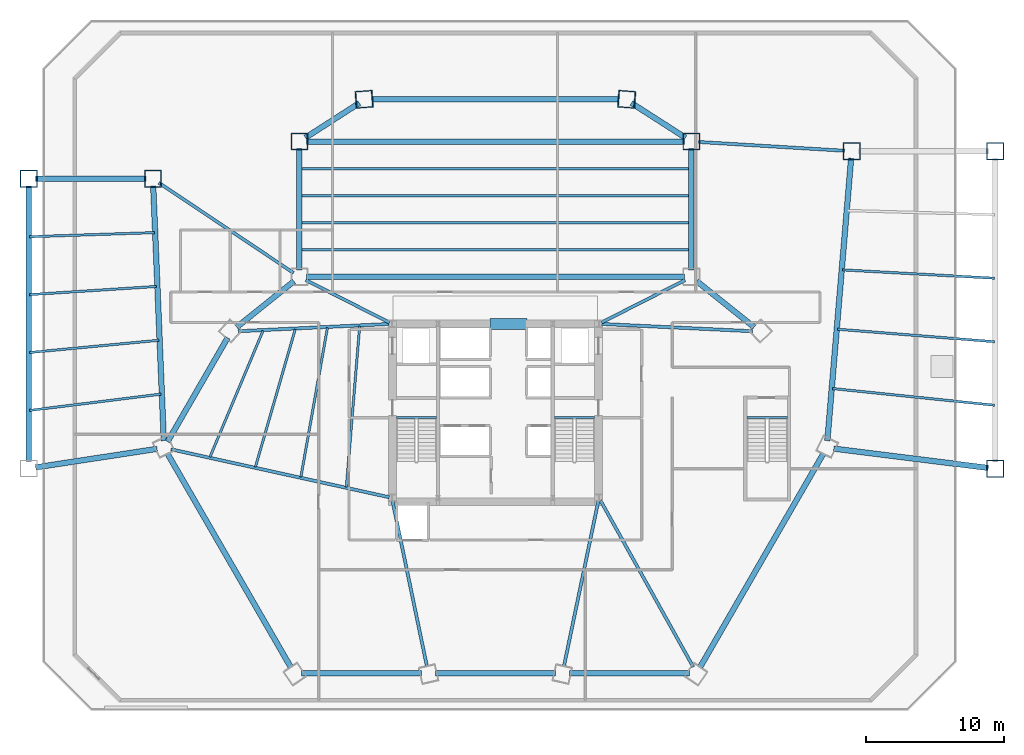
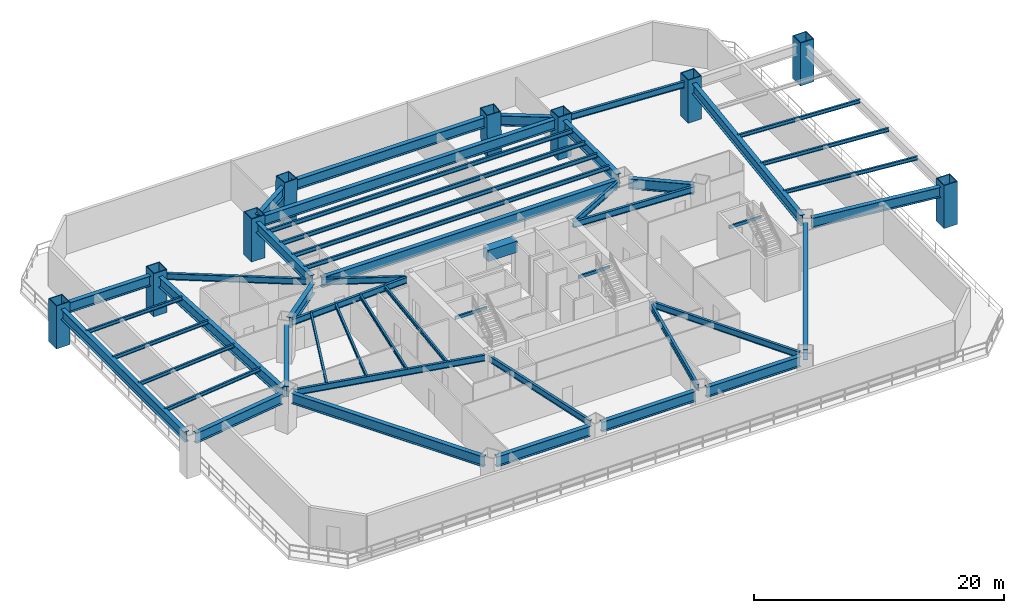
# One storey, part 3 of 12: 50 beams, 9 columns.
"""IFC4 building model written with IfcOpenShell, lengths in metres."""

from ifc_helpers import new_model, si_unit, direction, frame, origin, origin_2d, place, context, subcontext, project, spatial, rectangle, hollow_rectangle, i_section, extrude, source, transform, mapped, material, material_profile, profile_set, type_object, type_shapes, element, save


model = new_model("IFC4")

# Units and contexts
model_context = context("Model", 3, precision=1e-05, world=origin(), true_north=direction((0.0, 1.0)))
body_context = subcontext(model_context, "Body", "Model", "MODEL_VIEW")
ifc_project = project(units=[si_unit("LENGTHUNIT", "METRE"), si_unit("AREAUNIT", "SQUARE_METRE"), si_unit("VOLUMEUNIT", "CUBIC_METRE"), si_unit("PLANEANGLEUNIT", "RADIAN"), si_unit("MASSUNIT", "GRAM", prefix="KILO")], contexts=[model_context])

# Site, building, storey
site_placement = place(None, origin())
site = spatial("IfcSite", under=ifc_project, at=site_placement, CompositionType="ELEMENT")
building_placement = place(site_placement, origin())
building = spatial("IfcBuilding", under=site, at=building_placement, Name="Caelisora Broadcast Tower", CompositionType="ELEMENT")
storey_placement = place(building_placement, frame((0.0, 0.0, 18.89990234375)))
storey = spatial("IfcBuildingStorey", under=building, at=storey_placement, Name="L04", CompositionType="ELEMENT", Elevation=18.89990234375)

# Columns
ifc_material_1 = material(Name="Steel Grade 350 L15 (AS/NZS 3678)", Category="steel")
ifc_material_profile_1 = material_profile(ifc_material_1, hollow_rectangle(XDim=1.25, YDim=1.25, WallThickness=0.070068359375, at=origin_2d()), Name="Steel Grade 350 L15 (AS/NZS 3678)")
ifc_profile_set_1 = profile_set([ifc_material_profile_1], Name="Steel Grade 350 L15 (AS/NZS 3678)")
column_type = type_object("IfcColumnType", Name="MC02", PredefinedType="COLUMN", material=ifc_profile_set_1)
shared_shape_1 = source(origin(), body_context, "Body", "SweptSolid", [
    extrude(hollow_rectangle(XDim=1.25, YDim=1.25, WallThickness=0.070068359375, at=origin_2d()), origin(), (0.0, 0.0, 1.0), 4.201416015625),
])
for number, where, z_axis, x_axis, name in (
    (1, (47.519287109375, 46.256591796875, 0.0), (-0.02388294002, 0.001801389637, 0.999713138941), (-0.075212151333, -0.997167554773, 0.0), "L04 column MC02"),
    (2, (28.480712890625, 46.256591796875, 0.0), (0.02388294002, 0.001801389637, 0.999713138941), (-0.075212151333, 0.997167554773, 0.0), "L04 column MC02"),
):
    element("IfcColumn", number, at=place(storey_placement, frame(where, z_axis=z_axis, x_axis=x_axis)), inside=storey, type_object=column_type, Name=name, PredefinedType="COLUMN", context=body_context, shape_type="MappedRepresentation", body=[
        mapped(shared_shape_1, transform((0.0, 0.0, 0.0), scale=1.0)),
    ])
shared_shape_2 = source(origin(), body_context, "Body", "SweptSolid", [
    extrude(hollow_rectangle(XDim=1.25, YDim=1.25, WallThickness=0.070068359375, at=origin_2d()), origin(), (0.0, 0.0, 1.0), 4.2001953125),
])
type_shapes(column_type, [shared_shape_1, shared_shape_2])
for number, where, z_axis, x_axis, name in (
    (3, (23.81103515625, 43.199951171875, 0.0), (0.0, 0.0, 1.0), (1.0, 0.0, 0.0), "L04 column MC02"),
    (4, (52.18896484375, 43.199951171875, 0.0), (0.0, 0.0, 1.0), (1.0, 0.0, 0.0), "L04 column MC02"),
    (5, (4.199951171875, 40.5, 0.0), (0.0, 0.0, 1.0), (1.0, 0.0, 0.0), "L04 column MC02"),
    (6, (74.199951171875, 19.5, 0.0), (0.0, 0.0, 1.0), (1.0, 0.0, 0.0), "L04 column MC02"),
    (7, (74.199951171875, 42.5, 0.0), (0.0, 0.0, 1.0), (1.0, 0.0, 0.0), "L04 column MC02"),
    (8, (13.199951171875, 40.5, 0.0), (0.0, 0.0, 1.0), (1.0, 0.0, 0.0), "L04 column MC02"),
    (9, (63.800048828125, 42.5, 0.0), (0.0, 0.0, 1.0), (1.0, 0.0, 0.0), "L04 column MC02"),
):
    element("IfcColumn", number, at=place(storey_placement, frame(where, z_axis=z_axis, x_axis=x_axis)), inside=storey, type_object=column_type, Name=name, PredefinedType="COLUMN", context=body_context, shape_type="MappedRepresentation", body=[
        mapped(shared_shape_2, transform((0.0, 0.0, 0.0), scale=1.0)),
    ])

# Beams
ifc_material_2 = material(Name="Steel Grade 350 (AS/NZS 1163 C350L0)", Category="steel")
ifc_material_profile_2 = material_profile(ifc_material_2, hollow_rectangle(XDim=0.14990234375, YDim=0.300048828125, WallThickness=0.010009765625, at=origin_2d()), Name="Steel Grade 350 (AS/NZS 1163 C350L0)")
ifc_profile_set_2 = profile_set([ifc_material_profile_2], Name="Steel Grade 350 (AS/NZS 1163 C350L0)")
beam_type_1 = type_object("IfcBeamType", Name="SB05", PredefinedType="JOIST", material=ifc_profile_set_2)
shared_shape_3 = source(origin(), body_context, "Body", "SweptSolid", [
    extrude(hollow_rectangle(XDim=0.14990234375, YDim=0.300048828125, WallThickness=0.010009765625, at=origin_2d()), origin(), (0.0, 0.0, 1.0), 2.89990234375),
])
for number, where, z_axis, x_axis, name in (
    (10, (30.840087890625, 23.219970703125, 3.60009765625), (1.0, 0.0, 0.0), (0.0, 1.0, 0.0), "L04 beam SB05"),
    (11, (42.260009765625, 23.219970703125, 3.60009765625), (1.0, 0.0, 0.0), (0.0, 1.0, 0.0), "L04 beam SB05"),
):
    element("IfcBeam", number, at=place(storey_placement, frame(where, z_axis=z_axis, x_axis=x_axis)), inside=storey, type_object=beam_type_1, Name=name, PredefinedType="JOIST", context=body_context, shape_type="MappedRepresentation", body=[
        mapped(shared_shape_3, transform((0.0, 0.0, 0.0), scale=1.0)),
    ])
ifc_material_3 = material(Name="Concrete 65 MPa (AS 3600 S65)", Category="concrete")
ifc_material_profile_3 = material_profile(ifc_material_3, rectangle(XDim=0.800048828125, YDim=1.10009765625, at=origin_2d()), Name="Concrete 65 MPa (AS 3600 S65)")
ifc_profile_set_3 = profile_set([ifc_material_profile_3], Name="Concrete 65 MPa (AS 3600 S65)")
beam_type_2 = type_object("IfcBeamType", Name="CB01", PredefinedType="LINTEL", material=ifc_profile_set_3)
shared_shape_4 = source(origin(), body_context, "Body", "SweptSolid", [
    extrude(rectangle(XDim=0.800048828125, YDim=1.10009765625, at=origin_2d()), origin(), (0.0, 0.0, 1.0), 2.699951171875),
])
type_shapes(beam_type_2, [shared_shape_4])
beam_1_placement = place(storey_placement, frame((37.60009765625, 30.0, 3.400146484375), z_axis=(1.0, 0.0, 0.0), x_axis=(0.0, 1.0, 0.0)))
element("IfcBeam", 12, at=beam_1_placement, inside=storey, type_object=beam_type_2, Name="L04 beam CB01", PredefinedType="LINTEL", context=body_context, shape_type="MappedRepresentation", body=[
    mapped(shared_shape_4, transform((0.0, 0.0, 0.0), scale=1.0)),
])
shared_shape_5 = source(origin(), body_context, "Body", "SweptSolid", [
    extrude(hollow_rectangle(XDim=0.14990234375, YDim=0.300048828125, WallThickness=0.010009765625, at=origin_2d()), origin(), (0.0, 0.0, 1.0), 2.9599609375),
])
type_shapes(beam_type_1, [shared_shape_3, shared_shape_5])
beam_2_placement = place(storey_placement, frame((56.199951171875, 23.219970703125, 3.60009765625), z_axis=(1.0, 0.0, 0.0), x_axis=(0.0, 1.0, 0.0)))
element("IfcBeam", 13, at=beam_2_placement, inside=storey, type_object=beam_type_1, Name="L04 beam SB05", PredefinedType="JOIST", context=body_context, shape_type="MappedRepresentation", body=[
    mapped(shared_shape_5, transform((0.0, 0.0, 0.0), scale=1.0)),
])
ifc_material_4 = material(Name="Steel Grade 350 (AS/NZS 3679.1)", Category="steel")
ifc_material_profile_4 = material_profile(ifc_material_4, i_section(OverallWidth=0.177978515625, OverallDepth=0.406494140625, WebThickness=0.0078125, FlangeThickness=0.0126953125, at=origin_2d()), Name="Steel Grade 350 (AS/NZS 3679.1)")
ifc_profile_set_4 = profile_set([ifc_material_profile_4], Name="Steel Grade 350 (AS/NZS 3679.1)")
beam_type_3 = type_object("IfcBeamType", Name="SB01", PredefinedType="JOIST", material=ifc_profile_set_4)
shared_shape_6 = source(origin(), body_context, "Body", "SweptSolid", [
    extrude(i_section(OverallWidth=0.177978515625, OverallDepth=0.406494140625, WebThickness=0.0078125, FlangeThickness=0.0126953125, at=origin_2d()), origin(), (0.0, 0.0, 1.0), 28.2578125),
])
type_shapes(beam_type_3, [shared_shape_6])
for number, where, z_axis, x_axis, name in (
    (14, (23.87109375, 35.360107421875, 3.546875), (1.0, 0.0, 0.0), (0.0, 1.0, 0.0), "L04 beam SB01"),
    (15, (23.87109375, 37.320068359375, 3.546875), (1.0, 0.0, 0.0), (0.0, 1.0, 0.0), "L04 beam SB01"),
    (16, (23.87109375, 39.280029296875, 3.546875), (1.0, 0.0, 0.0), (0.0, 1.0, 0.0), "L04 beam SB01"),
    (17, (23.87109375, 41.239990234375, 3.546875), (1.0, 0.0, 0.0), (0.0, 1.0, 0.0), "L04 beam SB01"),
):
    element("IfcBeam", number, at=place(storey_placement, frame(where, z_axis=z_axis, x_axis=x_axis)), inside=storey, type_object=beam_type_3, Name=name, PredefinedType="JOIST", context=body_context, shape_type="MappedRepresentation", body=[
        mapped(shared_shape_6, transform((0.0, 0.0, 0.0), scale=1.0)),
    ])
ifc_material_profile_5 = material_profile(ifc_material_4, i_section(OverallWidth=0.22900390625, OverallDepth=0.611572265625, WebThickness=0.011962890625, FlangeThickness=0.01953125, at=origin_2d()), Name="Steel Grade 350 (AS/NZS 3679.1)")
ifc_profile_set_5 = profile_set([ifc_material_profile_5], Name="Steel Grade 350 (AS/NZS 3679.1)")
beam_type_4 = type_object("IfcBeamType", Name="PG03", PredefinedType="BEAM", material=ifc_profile_set_5)
shared_shape_7 = source(origin(), body_context, "Body", "SweptSolid", [
    extrude(i_section(OverallWidth=0.22900390625, OverallDepth=0.611572265625, WebThickness=0.011962890625, FlangeThickness=0.01953125, at=origin_2d()), origin(), (0.0, 0.0, 1.0), 6.791015625),
])
for number, where, z_axis, x_axis, name in (
    (18, (45.67822265625, 30.090576171875, 3.4443359375), (0.891452572776, 0.453114014892, 0.0), (-0.453114014892, 0.891452572776, 0.0), "L04 beam PG03"),
    (19, (30.32177734375, 30.090576171875, 3.4443359375), (-0.891452572776, 0.453114014892, 0.0), (-0.453114014892, -0.891452572776, 0.0), "L04 beam PG03"),
):
    element("IfcBeam", number, at=place(storey_placement, frame(where, z_axis=z_axis, x_axis=x_axis)), inside=storey, type_object=beam_type_4, Name=name, PredefinedType="BEAM", context=body_context, shape_type="MappedRepresentation", body=[
        mapped(shared_shape_7, transform((0.0, 0.0, 0.0), scale=1.0)),
    ])
ifc_material_5 = material(Name="Steel Grade 350 (AS/NZS 3679.2)", Category="steel")
ifc_material_profile_6 = material_profile(ifc_material_5, i_section(OverallWidth=0.39990234375, OverallDepth=1.0, WebThickness=0.01611328125, FlangeThickness=0.028076171875, at=origin_2d()), Name="Steel Grade 350 (AS/NZS 3679.2)")
ifc_profile_set_6 = profile_set([ifc_material_profile_6], Name="Steel Grade 350 (AS/NZS 3679.2)")
beam_type_5 = type_object("IfcBeamType", Name="PG01", PredefinedType="BEAM", material=ifc_profile_set_6)
shared_shape_8 = source(origin(), body_context, "Body", "SweptSolid", [
    extrude(i_section(OverallWidth=0.39990234375, OverallDepth=1.0, WebThickness=0.01611328125, FlangeThickness=0.028076171875, at=origin_2d()), origin(), (0.0, 0.0, 1.0), 7.97509765625),
])
beam_3_placement = place(storey_placement, frame((4.71240234375, 40.5, 3.25), z_axis=(1.0, 0.0, 0.0), x_axis=(0.0, 1.0, 0.0)))
element("IfcBeam", 20, at=beam_3_placement, inside=storey, type_object=beam_type_5, Name="L04 beam PG01", PredefinedType="BEAM", context=body_context, shape_type="MappedRepresentation", body=[
    mapped(shared_shape_8, transform((0.0, 0.0, 0.0), scale=1.0)),
])
shared_shape_9 = source(origin(), body_context, "Body", "SweptSolid", [
    extrude(i_section(OverallWidth=0.39990234375, OverallDepth=1.0, WebThickness=0.01611328125, FlangeThickness=0.028076171875, at=origin_2d()), origin(), (0.0, 0.0, 1.0), 19.948974609375),
])
beam_4_placement = place(storey_placement, frame((4.199951171875, 20.03857421875, 3.25), z_axis=(0.0, 1.0, 0.0), x_axis=(-1.0, 0.0, 0.0)))
element("IfcBeam", 21, at=beam_4_placement, inside=storey, type_object=beam_type_5, Name="L04 beam PG01", PredefinedType="BEAM", context=body_context, shape_type="MappedRepresentation", body=[
    mapped(shared_shape_9, transform((0.0, 0.0, 0.0), scale=1.0)),
])
shared_shape_10 = source(origin(), body_context, "Body", "SweptSolid", [
    extrude(i_section(OverallWidth=0.22900390625, OverallDepth=0.611572265625, WebThickness=0.011962890625, FlangeThickness=0.01953125, at=origin_2d()), origin(), (0.0, 0.0, 1.0), 11.7421875),
])
beam_5_placement = place(storey_placement, frame((13.6259765625, 40.215087890625, 3.4443359375), z_axis=(0.831105468417, -0.556114826602, 0.0), x_axis=(0.556114826602, 0.831105468417, 0.0)))
element("IfcBeam", 22, at=beam_5_placement, inside=storey, type_object=beam_type_4, Name="L04 beam PG03", PredefinedType="BEAM", context=body_context, shape_type="MappedRepresentation", body=[
    mapped(shared_shape_10, transform((0.0, 0.0, 0.0), scale=1.0)),
])
shared_shape_11 = source(origin(), body_context, "Body", "SweptSolid", [
    extrude(i_section(OverallWidth=0.22900390625, OverallDepth=0.611572265625, WebThickness=0.011962890625, FlangeThickness=0.01953125, at=origin_2d()), origin(), (0.0, 0.0, 1.0), 10.60693359375),
])
beam_6_placement = place(storey_placement, frame((52.70068359375, 43.169189453125, 3.4443359375), z_axis=(0.998186939581, -0.060189979639, 0.0), x_axis=(0.060189979639, 0.998186939581, 0.0)))
element("IfcBeam", 23, at=beam_6_placement, inside=storey, type_object=beam_type_4, Name="L04 beam PG03", PredefinedType="BEAM", context=body_context, shape_type="MappedRepresentation", body=[
    mapped(shared_shape_11, transform((0.0, 0.0, 0.0), scale=1.0)),
])
shared_shape_12 = source(origin(), body_context, "Body", "SweptSolid", [
    extrude(i_section(OverallWidth=0.39990234375, OverallDepth=1.0, WebThickness=0.01611328125, FlangeThickness=0.028076171875, at=origin_2d()), origin(), (0.0, 0.0, 1.0), 8.77490234375),
])
for number, where, z_axis, x_axis, name in (
    (24, (23.81103515625, 33.91259765625, 3.25), (0.0, 1.0, 0.0), (-1.0, 0.0, 0.0), "L04 beam PG01"),
    (25, (52.18896484375, 33.91259765625, 3.25), (0.0, 1.0, 0.0), (-1.0, 0.0, 0.0), "L04 beam PG01"),
):
    element("IfcBeam", number, at=place(storey_placement, frame(where, z_axis=z_axis, x_axis=x_axis)), inside=storey, type_object=beam_type_5, Name=name, PredefinedType="BEAM", context=body_context, shape_type="MappedRepresentation", body=[
        mapped(shared_shape_12, transform((0.0, 0.0, 0.0), scale=1.0)),
    ])
shared_shape_13 = source(origin(), body_context, "Body", "SweptSolid", [
    extrude(i_section(OverallWidth=0.39990234375, OverallDepth=1.0, WebThickness=0.01611328125, FlangeThickness=0.028076171875, at=origin_2d()), origin(), (0.0, 0.0, 1.0), 17.81298828125),
])
beam_7_placement = place(storey_placement, frame((46.906494140625, 46.26416015625, 3.25), z_axis=(-1.0, 0.0, 0.0), x_axis=(0.0, -1.0, 0.0)))
element("IfcBeam", 26, at=beam_7_placement, inside=storey, type_object=beam_type_5, Name="L04 beam PG01", PredefinedType="BEAM", context=body_context, shape_type="MappedRepresentation", body=[
    mapped(shared_shape_13, transform((0.0, 0.0, 0.0), scale=1.0)),
])
shared_shape_14 = source(origin(), body_context, "Body", "SweptSolid", [
    extrude(i_section(OverallWidth=0.39990234375, OverallDepth=1.0, WebThickness=0.01611328125, FlangeThickness=0.028076171875, at=origin_2d()), origin(), (0.0, 0.0, 1.0), 4.644287109375),
])
for number, where, z_axis, x_axis, name in (
    (27, (28.14990234375, 45.987060546875, 3.25), (-0.841383368345, -0.540438736096, 0.0), (0.540438736096, -0.841383368345, 0.0), "L04 beam PG01"),
    (28, (51.7578125, 43.47705078125, 3.25), (-0.841383368345, 0.540438736096, 0.0), (-0.540438736096, -0.841383368345, 0.0), "L04 beam PG01"),
):
    element("IfcBeam", number, at=place(storey_placement, frame(where, z_axis=z_axis, x_axis=x_axis)), inside=storey, type_object=beam_type_5, Name=name, PredefinedType="BEAM", context=body_context, shape_type="MappedRepresentation", body=[
        mapped(shared_shape_14, transform((0.0, 0.0, 0.0), scale=1.0)),
    ])
shared_shape_15 = source(origin(), body_context, "Body", "SweptSolid", [
    extrude(i_section(OverallWidth=0.39990234375, OverallDepth=1.0, WebThickness=0.01611328125, FlangeThickness=0.028076171875, at=origin_2d()), origin(), (0.0, 0.0, 1.0), 5.311279296875),
])
for number, where, z_axis, x_axis, name in (
    (29, (23.4111328125, 33.07958984375, 3.25), (-0.780388724153, -0.625294681902, 0.0), (0.625294681902, -0.780388724153, 0.0), "L04 beam PG01"),
    (30, (56.733642578125, 29.758544921875, 3.25), (-0.780388724153, 0.625294681902, 0.0), (-0.625294681902, -0.780388724153, 0.0), "L04 beam PG01"),
):
    element("IfcBeam", number, at=place(storey_placement, frame(where, z_axis=z_axis, x_axis=x_axis)), inside=storey, type_object=beam_type_5, Name=name, PredefinedType="BEAM", context=body_context, shape_type="MappedRepresentation", body=[
        mapped(shared_shape_15, transform((0.0, 0.0, 0.0), scale=1.0)),
    ])
shared_shape_16 = source(origin(), body_context, "Body", "SweptSolid", [
    extrude(i_section(OverallWidth=0.39990234375, OverallDepth=1.0, WebThickness=0.01611328125, FlangeThickness=0.028076171875, at=origin_2d()), origin(), (0.0, 0.0, 1.0), 8.689453125),
])
for number, where, z_axis, x_axis, name in (
    (31, (18.610107421875, 28.994384765625, 3.25), (-0.499994843742, -0.866028380731, 0.0), (0.866028380731, -0.499994843742, 0.0), "L04 beam PG01"),
    (32, (23.940673828125, 4.7109375, 3.25), (1.0, 0.0, 0.0), (0.0, 1.0, 0.0), "L04 beam PG01"),
    (33, (33.6552734375, 4.7109375, 3.25), (1.0, 0.0, 0.0), (0.0, 1.0, 0.0), "L04 beam PG01"),
    (34, (43.369873046875, 4.7109375, 3.25), (1.0, 0.0, 0.0), (0.0, 1.0, 0.0), "L04 beam PG01"),
):
    element("IfcBeam", number, at=place(storey_placement, frame(where, z_axis=z_axis, x_axis=x_axis)), inside=storey, type_object=beam_type_5, Name=name, PredefinedType="BEAM", context=body_context, shape_type="MappedRepresentation", body=[
        mapped(shared_shape_16, transform((0.0, 0.0, 0.0), scale=1.0)),
    ])
shared_shape_17 = source(origin(), body_context, "Body", "SweptSolid", [
    extrude(i_section(OverallWidth=0.39990234375, OverallDepth=1.0, WebThickness=0.01611328125, FlangeThickness=0.028076171875, at=origin_2d()), origin(), (0.0, 0.0, 1.0), 17.813232421875),
])
for number, where, z_axis, x_axis, name in (
    (35, (14.265380859375, 20.581298828125, 3.25), (0.500009955836, -0.866019655704, 0.0), (0.866019655704, 0.500009955836, 0.0), "L04 beam PG01"),
    (36, (52.827880859375, 5.15478515625, 3.25), (0.500009955836, 0.866019655704, 0.0), (-0.866019655704, 0.500009955836, 0.0), "L04 beam PG01"),
):
    element("IfcBeam", number, at=place(storey_placement, frame(where, z_axis=z_axis, x_axis=x_axis)), inside=storey, type_object=beam_type_5, Name=name, PredefinedType="BEAM", context=body_context, shape_type="MappedRepresentation", body=[
        mapped(shared_shape_17, transform((0.0, 0.0, 0.0), scale=1.0)),
    ])
shared_shape_18 = source(origin(), body_context, "Body", "SweptSolid", [
    extrude(i_section(OverallWidth=0.39990234375, OverallDepth=1.0, WebThickness=0.01611328125, FlangeThickness=0.028076171875, at=origin_2d()), origin(), (0.0, 0.0, 1.0), 11.279052734375),
])
beam_8_placement = place(storey_placement, frame((62.499267578125, 20.961669921875, 3.25), z_axis=(0.992286865244, -0.123962805167, 0.0), x_axis=(0.123962805167, 0.992286865244, 0.0)))
element("IfcBeam", 37, at=beam_8_placement, inside=storey, type_object=beam_type_5, Name="L04 beam PG01", PredefinedType="BEAM", context=body_context, shape_type="MappedRepresentation", body=[
    mapped(shared_shape_18, transform((0.0, 0.0, 0.0), scale=1.0)),
])
shared_shape_19 = source(origin(), body_context, "Body", "SweptSolid", [
    extrude(i_section(OverallWidth=0.22900390625, OverallDepth=0.611572265625, WebThickness=0.011962890625, FlangeThickness=0.01953125, at=origin_2d()), origin(), (0.0, 0.0, 1.0), 16.172119140625),
])
beam_9_placement = place(storey_placement, frame((30.3046875, 17.44287109375, 3.4443359375), z_axis=(-0.97667968054, 0.214701657238, 0.0), x_axis=(-0.214701657238, -0.97667968054, 0.0)))
element("IfcBeam", 38, at=beam_9_placement, inside=storey, type_object=beam_type_4, Name="L04 beam PG03", PredefinedType="BEAM", context=body_context, shape_type="MappedRepresentation", body=[
    mapped(shared_shape_19, transform((0.0, 0.0, 0.0), scale=1.0)),
])
shared_shape_20 = source(origin(), body_context, "Body", "SweptSolid", [
    extrude(i_section(OverallWidth=0.22900390625, OverallDepth=0.611572265625, WebThickness=0.011962890625, FlangeThickness=0.01953125, at=origin_2d()), origin(), (0.0, 0.0, 1.0), 12.248779296875),
])
for number, where, z_axis, x_axis, name in (
    (39, (30.540771484375, 17.2041015625, 3.4443359375), (0.203883414077, -0.978995175404, 0.0), (0.978995175404, 0.203883414077, 0.0), "L04 beam PG03"),
    (40, (45.459228515625, 17.2041015625, 3.4443359375), (-0.203883414077, -0.978995175404, 0.0), (0.978995175404, -0.203883414077, 0.0), "L04 beam PG03"),
):
    element("IfcBeam", number, at=place(storey_placement, frame(where, z_axis=z_axis, x_axis=x_axis)), inside=storey, type_object=beam_type_4, Name=name, PredefinedType="BEAM", context=body_context, shape_type="MappedRepresentation", body=[
        mapped(shared_shape_20, transform((0.0, 0.0, 0.0), scale=1.0)),
    ])
shared_shape_21 = source(origin(), body_context, "Body", "SweptSolid", [
    extrude(i_section(OverallWidth=0.22900390625, OverallDepth=0.611572265625, WebThickness=0.011962890625, FlangeThickness=0.01953125, at=origin_2d()), origin(), (0.0, 0.0, 1.0), 13.81396484375),
])
beam_10_placement = place(storey_placement, frame((45.597412109375, 17.225341796875, 3.4443359375), z_axis=(0.486812939707, -0.873506245962, 0.0), x_axis=(0.873506245962, 0.486812939707, 0.0)))
element("IfcBeam", 41, at=beam_10_placement, inside=storey, type_object=beam_type_4, Name="L04 beam PG03", PredefinedType="BEAM", context=body_context, shape_type="MappedRepresentation", body=[
    mapped(shared_shape_21, transform((0.0, 0.0, 0.0), scale=1.0)),
])
shared_shape_22 = source(origin(), body_context, "Body", "SweptSolid", [
    extrude(i_section(OverallWidth=0.22900390625, OverallDepth=0.611572265625, WebThickness=0.011962890625, FlangeThickness=0.01953125, at=origin_2d()), origin(), (0.0, 0.0, 1.0), 10.9345703125),
])
type_shapes(beam_type_4, [shared_shape_7, shared_shape_10, shared_shape_11, shared_shape_19, shared_shape_20, shared_shape_21, shared_shape_22])
for number, where, z_axis, x_axis, name in (
    (42, (45.69970703125, 29.990478515625, 3.4443359375), (0.99883532165, -0.04824935466, 0.0), (0.04824935466, 0.99883532165, 0.0), "L04 beam PG03"),
    (43, (19.37841796875, 29.462890625, 3.4443359375), (0.99883532165, 0.04824935466, 0.0), (-0.04824935466, 0.99883532165, 0.0), "L04 beam PG03"),
):
    element("IfcBeam", number, at=place(storey_placement, frame(where, z_axis=z_axis, x_axis=x_axis)), inside=storey, type_object=beam_type_4, Name=name, PredefinedType="BEAM", context=body_context, shape_type="MappedRepresentation", body=[
        mapped(shared_shape_22, transform((0.0, 0.0, 0.0), scale=1.0)),
    ])
shared_shape_23 = source(origin(), body_context, "Body", "SweptSolid", [
    extrude(i_section(OverallWidth=0.39990234375, OverallDepth=1.0, WebThickness=0.01611328125, FlangeThickness=0.028076171875, at=origin_2d()), origin(), (0.0, 0.0, 1.0), 8.898193359375),
])
beam_11_placement = place(storey_placement, frame((4.70654296875, 19.603515625, 3.25), z_axis=(0.988523453115, 0.151067477112, 0.0), x_axis=(-0.151067477112, 0.988523453115, 0.0)))
element("IfcBeam", 44, at=beam_11_placement, inside=storey, type_object=beam_type_5, Name="L04 beam PG01", PredefinedType="BEAM", context=body_context, shape_type="MappedRepresentation", body=[
    mapped(shared_shape_23, transform((0.0, 0.0, 0.0), scale=1.0)),
])
shared_shape_24 = source(origin(), body_context, "Body", "SweptSolid", [
    extrude(i_section(OverallWidth=0.39990234375, OverallDepth=1.0, WebThickness=0.01611328125, FlangeThickness=0.028076171875, at=origin_2d()), origin(), (0.0, 0.0, 1.0), 18.466552734375),
])
beam_12_placement = place(storey_placement, frame((13.98779296875, 21.537109375, 3.25), z_axis=(-0.041512864533, 0.999137969491, 0.0), x_axis=(-0.999137969491, -0.041512864533, 0.0)))
element("IfcBeam", 45, at=beam_12_placement, inside=storey, type_object=beam_type_5, Name="L04 beam PG01", PredefinedType="BEAM", context=body_context, shape_type="MappedRepresentation", body=[
    mapped(shared_shape_24, transform((0.0, 0.0, 0.0), scale=1.0)),
])
shared_shape_25 = source(origin(), body_context, "Body", "SweptSolid", [
    extrude(i_section(OverallWidth=0.39990234375, OverallDepth=1.0, WebThickness=0.01611328125, FlangeThickness=0.028076171875, at=origin_2d()), origin(), (0.0, 0.0, 1.0), 20.52587890625),
])
beam_13_placement = place(storey_placement, frame((62.03369140625, 21.535888671875, 3.25), z_axis=(0.083961880226, 0.996468967238, 0.0), x_axis=(-0.996468967238, 0.083961880226, 0.0)))
element("IfcBeam", 46, at=beam_13_placement, inside=storey, type_object=beam_type_5, Name="L04 beam PG01", PredefinedType="BEAM", context=body_context, shape_type="MappedRepresentation", body=[
    mapped(shared_shape_25, transform((0.0, 0.0, 0.0), scale=1.0)),
])
shared_shape_26 = source(origin(), body_context, "Body", "SweptSolid", [
    extrude(i_section(OverallWidth=0.39990234375, OverallDepth=1.0, WebThickness=0.01611328125, FlangeThickness=0.028076171875, at=origin_2d()), origin(), (0.0, 0.0, 1.0), 27.35302734375),
])
type_shapes(beam_type_5, [shared_shape_8, shared_shape_9, shared_shape_12, shared_shape_13, shared_shape_14, shared_shape_15, shared_shape_16, shared_shape_17, shared_shape_18, shared_shape_23, shared_shape_24, shared_shape_25, shared_shape_26])
for number, where, z_axis, x_axis, name in (
    (47, (24.323486328125, 43.199951171875, 3.25), (1.0, 0.0, 0.0), (0.0, 1.0, 0.0), "L04 beam PG01"),
    (48, (24.323486328125, 33.39990234375, 3.25), (1.0, 0.0, 0.0), (0.0, 1.0, 0.0), "L04 beam PG01"),
):
    element("IfcBeam", number, at=place(storey_placement, frame(where, z_axis=z_axis, x_axis=x_axis)), inside=storey, type_object=beam_type_5, Name=name, PredefinedType="BEAM", context=body_context, shape_type="MappedRepresentation", body=[
        mapped(shared_shape_26, transform((0.0, 0.0, 0.0), scale=1.0)),
    ])
ifc_material_profile_7 = material_profile(ifc_material_4, i_section(OverallWidth=0.172119140625, OverallDepth=0.358642578125, WebThickness=0.008056640625, FlangeThickness=0.012939453125, at=origin_2d()), Name="Steel Grade 350 (AS/NZS 3679.1)")
ifc_profile_set_7 = profile_set([ifc_material_profile_7], Name="Steel Grade 350 (AS/NZS 3679.1)")
beam_type_6 = type_object("IfcBeamType", Name="SB02", PredefinedType="JOIST", material=ifc_profile_set_7)
shared_shape_27 = source(origin(), body_context, "Body", "SweptSolid", [
    extrude(i_section(OverallWidth=0.172119140625, OverallDepth=0.358642578125, WebThickness=0.008056640625, FlangeThickness=0.012939453125, at=origin_2d()), origin(), (0.0, 0.0, 1.0), 9.913330078125),
])
beam_14_placement = place(storey_placement, frame((17.33056640625, 20.35546875, 3.57080078125), z_axis=(0.387292775375, 0.92195678106, 0.0), x_axis=(-0.92195678106, 0.387292775375, 0.0)))
element("IfcBeam", 49, at=beam_14_placement, inside=storey, type_object=beam_type_6, Name="L04 beam SB02", PredefinedType="JOIST", context=body_context, shape_type="MappedRepresentation", body=[
    mapped(shared_shape_27, transform((0.0, 0.0, 0.0), scale=1.0)),
])
shared_shape_28 = source(origin(), body_context, "Body", "SweptSolid", [
    extrude(i_section(OverallWidth=0.172119140625, OverallDepth=0.358642578125, WebThickness=0.008056640625, FlangeThickness=0.012939453125, at=origin_2d()), origin(), (0.0, 0.0, 1.0), 10.380126953125),
])
beam_15_placement = place(storey_placement, frame((20.622314453125, 19.6328125, 3.57080078125), z_axis=(0.277534346376, 0.960715715798, 0.0), x_axis=(-0.960715715798, 0.277534346376, 0.0)))
element("IfcBeam", 50, at=beam_15_placement, inside=storey, type_object=beam_type_6, Name="L04 beam SB02", PredefinedType="JOIST", context=body_context, shape_type="MappedRepresentation", body=[
    mapped(shared_shape_28, transform((0.0, 0.0, 0.0), scale=1.0)),
])
shared_shape_29 = source(origin(), body_context, "Body", "SweptSolid", [
    extrude(i_section(OverallWidth=0.172119140625, OverallDepth=0.358642578125, WebThickness=0.008056640625, FlangeThickness=0.012939453125, at=origin_2d()), origin(), (0.0, 0.0, 1.0), 10.976806640625),
])
beam_16_placement = place(storey_placement, frame((23.914306640625, 18.9091796875, 3.57080078125), z_axis=(0.175086995722, 0.984552966543, 0.0), x_axis=(-0.984552966543, 0.175086995722, 0.0)))
element("IfcBeam", 51, at=beam_16_placement, inside=storey, type_object=beam_type_6, Name="L04 beam SB02", PredefinedType="JOIST", context=body_context, shape_type="MappedRepresentation", body=[
    mapped(shared_shape_29, transform((0.0, 0.0, 0.0), scale=1.0)),
])
shared_shape_30 = source(origin(), body_context, "Body", "SweptSolid", [
    extrude(i_section(OverallWidth=0.172119140625, OverallDepth=0.358642578125, WebThickness=0.008056640625, FlangeThickness=0.012939453125, at=origin_2d()), origin(), (0.0, 0.0, 1.0), 11.6826171875),
])
beam_17_placement = place(storey_placement, frame((27.206787109375, 18.184814453125, 3.57080078125), z_axis=(0.082315627089, 0.996606310203, 0.0), x_axis=(-0.996606310203, 0.082315627089, 0.0)))
element("IfcBeam", 52, at=beam_17_placement, inside=storey, type_object=beam_type_6, Name="L04 beam SB02", PredefinedType="JOIST", context=body_context, shape_type="MappedRepresentation", body=[
    mapped(shared_shape_30, transform((0.0, 0.0, 0.0), scale=1.0)),
])
shared_shape_31 = source(origin(), body_context, "Body", "SweptSolid", [
    extrude(i_section(OverallWidth=0.172119140625, OverallDepth=0.358642578125, WebThickness=0.008056640625, FlangeThickness=0.012939453125, at=origin_2d()), origin(), (0.0, 0.0, 1.0), 9.6015625),
])
beam_18_placement = place(storey_placement, frame((4.259521484375, 23.728271484375, 3.57080078125), z_axis=(0.99236369837, 0.123346220682, 0.0), x_axis=(-0.123346220682, 0.99236369837, 0.0)))
element("IfcBeam", 53, at=beam_18_placement, inside=storey, type_object=beam_type_6, Name="L04 beam SB02", PredefinedType="JOIST", context=body_context, shape_type="MappedRepresentation", body=[
    mapped(shared_shape_31, transform((0.0, 0.0, 0.0), scale=1.0)),
])
shared_shape_32 = source(origin(), body_context, "Body", "SweptSolid", [
    extrude(i_section(OverallWidth=0.172119140625, OverallDepth=0.358642578125, WebThickness=0.008056640625, FlangeThickness=0.012939453125, at=origin_2d()), origin(), (0.0, 0.0, 1.0), 9.407958984375),
])
beam_19_placement = place(storey_placement, frame((4.259765625, 27.92138671875, 3.57080078125), z_axis=(0.995536085107, 0.094381689168, 0.0), x_axis=(-0.094381689168, 0.995536085107, 0.0)))
element("IfcBeam", 54, at=beam_19_placement, inside=storey, type_object=beam_type_6, Name="L04 beam SB02", PredefinedType="JOIST", context=body_context, shape_type="MappedRepresentation", body=[
    mapped(shared_shape_32, transform((0.0, 0.0, 0.0), scale=1.0)),
])
shared_shape_33 = source(origin(), body_context, "Body", "SweptSolid", [
    extrude(i_section(OverallWidth=0.172119140625, OverallDepth=0.358642578125, WebThickness=0.008056640625, FlangeThickness=0.012939453125, at=origin_2d()), origin(), (0.0, 0.0, 1.0), 9.222900390625),
])
beam_20_placement = place(storey_placement, frame((4.260009765625, 32.1142578125, 3.57080078125), z_axis=(0.997937525306, 0.064192644337, 0.0), x_axis=(-0.064192644337, 0.997937525306, 0.0)))
element("IfcBeam", 55, at=beam_20_placement, inside=storey, type_object=beam_type_6, Name="L04 beam SB02", PredefinedType="JOIST", context=body_context, shape_type="MappedRepresentation", body=[
    mapped(shared_shape_33, transform((0.0, 0.0, 0.0), scale=1.0)),
])
shared_shape_34 = source(origin(), body_context, "Body", "SweptSolid", [
    extrude(i_section(OverallWidth=0.172119140625, OverallDepth=0.358642578125, WebThickness=0.008056640625, FlangeThickness=0.012939453125, at=origin_2d()), origin(), (0.0, 0.0, 1.0), 9.046875),
])
beam_21_placement = place(storey_placement, frame((4.260009765625, 36.30712890625, 3.57080078125), z_axis=(0.999464969619, 0.032707407473, 0.0), x_axis=(-0.032707407473, 0.999464969619, 0.0)))
element("IfcBeam", 56, at=beam_21_placement, inside=storey, type_object=beam_type_6, Name="L04 beam SB02", PredefinedType="JOIST", context=body_context, shape_type="MappedRepresentation", body=[
    mapped(shared_shape_34, transform((0.0, 0.0, 0.0), scale=1.0)),
])
shared_shape_35 = source(origin(), body_context, "Body", "SweptSolid", [
    extrude(i_section(OverallWidth=0.172119140625, OverallDepth=0.358642578125, WebThickness=0.008056640625, FlangeThickness=0.012939453125, at=origin_2d()), origin(), (0.0, 0.0, 1.0), 11.7900390625),
])
beam_22_placement = place(storey_placement, frame((62.412353515625, 25.31396484375, 3.57080078125), z_axis=(0.99473926566, -0.102439217853, 0.0), x_axis=(0.102439217853, 0.99473926566, 0.0)))
element("IfcBeam", 57, at=beam_22_placement, inside=storey, type_object=beam_type_6, Name="L04 beam SB02", PredefinedType="JOIST", context=body_context, shape_type="MappedRepresentation", body=[
    mapped(shared_shape_35, transform((0.0, 0.0, 0.0), scale=1.0)),
])
shared_shape_36 = source(origin(), body_context, "Body", "SweptSolid", [
    extrude(i_section(OverallWidth=0.172119140625, OverallDepth=0.358642578125, WebThickness=0.008056640625, FlangeThickness=0.012939453125, at=origin_2d()), origin(), (0.0, 0.0, 1.0), 11.40185546875),
])
beam_23_placement = place(storey_placement, frame((62.7744140625, 29.6103515625, 3.57080078125), z_axis=(0.996841301614, -0.079419263386, 0.0), x_axis=(0.079419263386, 0.996841301614, 0.0)))
element("IfcBeam", 58, at=beam_23_placement, inside=storey, type_object=beam_type_6, Name="L04 beam SB02", PredefinedType="JOIST", context=body_context, shape_type="MappedRepresentation", body=[
    mapped(shared_shape_36, transform((0.0, 0.0, 0.0), scale=1.0)),
])
shared_shape_37 = source(origin(), body_context, "Body", "SweptSolid", [
    extrude(i_section(OverallWidth=0.172119140625, OverallDepth=0.358642578125, WebThickness=0.008056640625, FlangeThickness=0.012939453125, at=origin_2d()), origin(), (0.0, 0.0, 1.0), 11.0205078125),
])
type_shapes(beam_type_6, [shared_shape_27, shared_shape_28, shared_shape_29, shared_shape_30, shared_shape_31, shared_shape_32, shared_shape_33, shared_shape_34, shared_shape_35, shared_shape_36, shared_shape_37])
beam_24_placement = place(storey_placement, frame((63.13623046875, 33.90673828125, 3.57080078125), z_axis=(0.998499365781, -0.05476327725, 0.0), x_axis=(0.05476327725, 0.998499365781, 0.0)))
element("IfcBeam", 59, at=beam_24_placement, inside=storey, type_object=beam_type_6, Name="L04 beam SB02", PredefinedType="JOIST", context=body_context, shape_type="MappedRepresentation", body=[
    mapped(shared_shape_37, transform((0.0, 0.0, 0.0), scale=1.0)),
])

save(model, "model.ifc")
